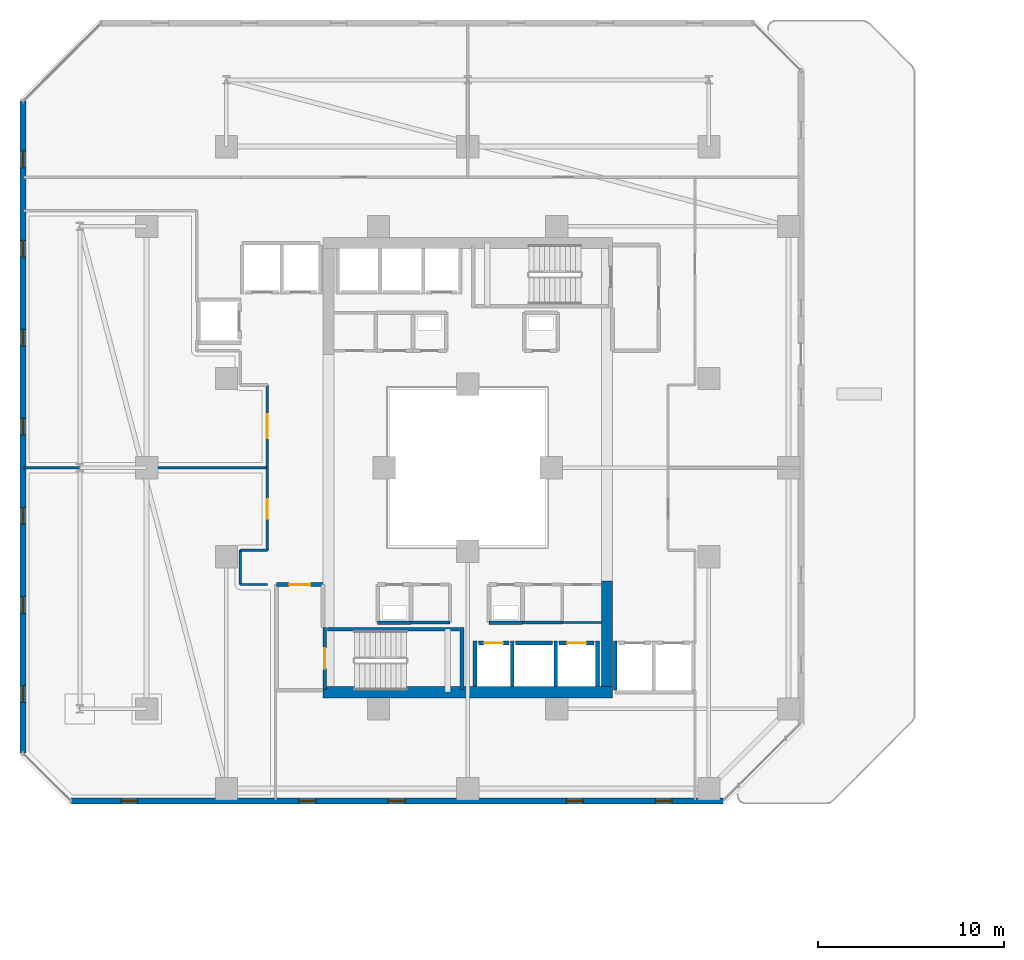
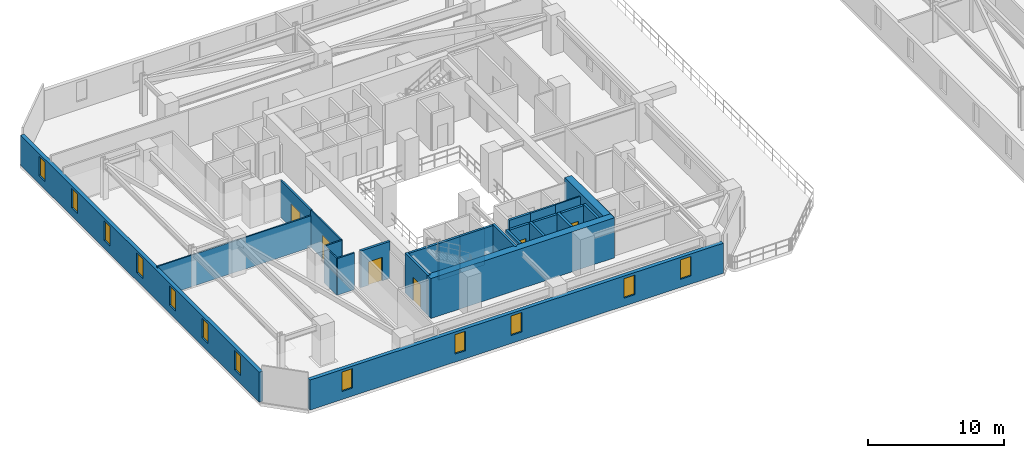
# One storey, part 20 of 33: 27 walls, 12 windows, 6 doors, 18 openings.
"""IFC4 building model written with IfcOpenShell, lengths in metres."""

from ifc_helpers import new_model, si_unit, direction, frame, frame_2d, origin, place, context, subcontext, project, spatial, rectangle, extrude, material, layer, layer_set, type_object, element, fill, save


model = new_model("IFC4")

# Units and contexts
model_context = context("Model", 3, precision=1e-05, world=origin(), true_north=direction((0.0, 1.0)))
body_context = subcontext(model_context, "Body", "Model", "MODEL_VIEW")
ifc_project = project(units=[si_unit("LENGTHUNIT", "METRE"), si_unit("AREAUNIT", "SQUARE_METRE"), si_unit("VOLUMEUNIT", "CUBIC_METRE"), si_unit("PLANEANGLEUNIT", "RADIAN"), si_unit("MASSUNIT", "GRAM", prefix="KILO")], contexts=[model_context])

# Site, building, storey
site_placement = place(None, origin())
site = spatial("IfcSite", under=ifc_project, at=site_placement, CompositionType="ELEMENT")
building_placement = place(site_placement, origin())
building = spatial("IfcBuilding", under=site, at=building_placement, Name="Thornwick Lancets Civic Towers", CompositionType="ELEMENT")
storey_placement = place(building_placement, frame((0.0, 0.0, 98.10009765625)))
storey = spatial("IfcBuildingStorey", under=building, at=storey_placement, Name="L25", CompositionType="ELEMENT", Elevation=98.10009765625)

# Wall, opening, door
ifc_material_1 = material(Name="Concrete blockwork C40/50", Category="masonry")
ifc_layer_1 = layer(ifc_material_1, 0.199951171875, Name="Concrete blockwork C40/50")
ifc_layer_set_1 = layer_set([ifc_layer_1], Name="Concrete blockwork C40/50")
wall_type_1 = type_object("IfcWallType", Name="WALL_COMP_200", PredefinedType="STANDARD", material=ifc_layer_set_1)
wall_1_placement = place(storey_placement, frame((26.080078125, 17.550048828125, 0.0), z_axis=(0.0, 0.0, 1.0), x_axis=(1.0, 0.0, 0.0)))
wall_1 = element("IfcWall", 1, at=wall_1_placement, inside=storey, type_object=wall_type_1, Name="L25 Hoistway Front Wall FL-A1", PredefinedType="STANDARD", context=body_context, shape_type="SweptSolid", body=[
    extrude(rectangle(XDim=1.639892578125, YDim=0.199951171875, at=frame_2d((0.81982421875, 0.0))), origin(), (0.0, 0.0, 1.0), 3.2998046875),
])
opening_1_placement = place(wall_1_placement, frame((0.31005859375, 0.0, 0.0)))
opening_1 = element("IfcOpeningElement", 2, at=opening_1_placement, cuts=wall_1, Name="Opening LD-FL-A1", PredefinedType="OPENING", context=body_context, shape_type="SweptSolid", body=[
    extrude(rectangle(XDim=1.02001953125, YDim=2.06005859375, at=frame_2d((0.510009765625, 1.030029296875))), frame((0.0, 0.10986328125, 0.0), z_axis=(0.0, -1.0, 0.0), x_axis=(1.0, 0.0, 0.0)), (0.0, 0.0, 1.0), 0.219970703125),
])
ifc_material_2 = material(Name="Brushed bronze stainless steel", Category="steel")
door_type_1 = type_object("IfcDoorType", Name="DOOR_LIFT_SLIDE", OperationType="SLIDING_TO_LEFT", PredefinedType="DOOR", material=ifc_material_2)
door_1_placement = place(opening_1_placement, origin())
door_1 = element("IfcDoor", 3, at=door_1_placement, inside=storey, type_object=door_type_1, Name="L25 Sliding Lift Landing Door LD-FL-A1", OperationType="SLIDING_TO_LEFT", OverallHeight=2.06005859375, OverallWidth=1.02001953125, PredefinedType="DOOR", context=body_context, shape_type="SweptSolid", body=[
    extrude(rectangle(XDim=1.02001953125, YDim=2.06005859375, at=frame_2d((0.510009765625, 1.030029296875))), frame((0.0, 0.02490234375, 0.0), z_axis=(0.0, -1.0, 0.0), x_axis=(1.0, 0.0, 0.0)), (0.0, 0.0, 1.0), 0.050048828125),
])
fill(opening_1, door_1)

# Wall
wall_2_placement = place(storey_placement, frame((28.080078125, 17.550048828125, 0.0), z_axis=(0.0, 0.0, 1.0), x_axis=(1.0, 0.0, 0.0)))
element("IfcWall", 4, at=wall_2_placement, inside=storey, type_object=wall_type_1, Name="L25 Hoistway Front Wall PL-AH1", PredefinedType="STANDARD", context=body_context, shape_type="SweptSolid", body=[
    extrude(rectangle(XDim=1.989990234375, YDim=0.199951171875, at=frame_2d((0.9951171875, 0.0))), origin(), (0.0, 0.0, 1.0), 3.2998046875),
])

# Wall, opening, door
wall_3_placement = place(storey_placement, frame((30.429931640625, 17.550048828125, 0.0), z_axis=(0.0, 0.0, 1.0), x_axis=(1.0, 0.0, 0.0)))
wall_3 = element("IfcWall", 5, at=wall_3_placement, inside=storey, type_object=wall_type_1, Name="L25 Hoistway Front Wall PL-AL1", PredefinedType="STANDARD", context=body_context, shape_type="SweptSolid", body=[
    extrude(rectangle(XDim=1.89013671875, YDim=0.199951171875, at=frame_2d((0.945068359375, 0.0))), origin(), (0.0, 0.0, 1.0), 3.2998046875),
])
opening_2_placement = place(wall_3_placement, frame((0.43505859375, 0.0, 0.0)))
opening_2 = element("IfcOpeningElement", 6, at=opening_2_placement, cuts=wall_3, Name="Opening LD-PL-AL1", PredefinedType="OPENING", context=body_context, shape_type="SweptSolid", body=[
    extrude(rectangle(XDim=1.02001953125, YDim=2.06005859375, at=frame_2d((0.510009765625, 1.030029296875))), frame((0.0, 0.10986328125, 0.0), z_axis=(0.0, -1.0, 0.0), x_axis=(1.0, 0.0, 0.0)), (0.0, 0.0, 1.0), 0.219970703125),
])
door_2_placement = place(opening_2_placement, origin())
door_2 = element("IfcDoor", 7, at=door_2_placement, inside=storey, type_object=door_type_1, Name="L25 Sliding Lift Landing Door LD-PL-AL1", OperationType="SLIDING_TO_LEFT", OverallHeight=2.06005859375, OverallWidth=1.02001953125, PredefinedType="DOOR", context=body_context, shape_type="SweptSolid", body=[
    extrude(rectangle(XDim=1.02001953125, YDim=2.06005859375, at=frame_2d((0.510009765625, 1.030029296875))), frame((0.0, 0.02490234375, 0.0), z_axis=(0.0, -1.0, 0.0), x_axis=(1.0, 0.0, 0.0)), (0.0, 0.0, 1.0), 0.050048828125),
])
fill(opening_2, door_2)

# Walls
for number, where, z_axis, x_axis, name in (
    (8, (27.89990234375, 15.2119140625, 0.0), (0.0, 0.0, 1.0), (0.0, 1.0, 0.0), "L25 Hoistway Shaft Wall FL-A1 E"),
    (9, (25.89990234375, 15.2119140625, 0.0), (0.0, 0.0, 1.0), (0.0, 1.0, 0.0), "L25 Hoistway Shaft Wall FL-A1 W"),
    (10, (30.25, 15.2119140625, 0.0), (0.0, 0.0, 1.0), (0.0, 1.0, 0.0), "L25 Hoistway Shaft Wall PL-AH1 E"),
    (11, (32.5, 15.2119140625, 0.0), (0.0, 0.0, 1.0), (0.0, 1.0, 0.0), "L25 Hoistway Shaft Wall PL-AL1 E"),
):
    element("IfcWall", number, at=place(storey_placement, frame(where, z_axis=z_axis, x_axis=x_axis)), inside=storey, type_object=wall_type_1, Name=name, PredefinedType="STANDARD", context=body_context, shape_type="SweptSolid", body=[
        extrude(rectangle(XDim=2.43603515625, YDim=0.199951171875, at=frame_2d((1.218017578125, 0.0))), origin(), (0.0, 0.0, 1.0), 3.2998046875),
    ])
wall_4_placement = place(storey_placement, frame((33.449951171875, 15.011962890625, 0.0), z_axis=(0.0, 0.0, 1.0), x_axis=(0.0, 1.0, 0.0)))
element("IfcWall", 12, at=wall_4_placement, inside=storey, type_object=wall_type_1, Name="L25 Hoistway Shaft Wall PL-AL2 W", PredefinedType="STANDARD", context=body_context, shape_type="SweptSolid", body=[
    extrude(rectangle(XDim=2.635986328125, YDim=0.199951171875, at=frame_2d((1.31787109375, 0.0))), origin(), (0.0, 0.0, 1.0), 3.2998046875),
])

# Wall, opening, door
wall_5_placement = place(storey_placement, frame((17.699951171875, 20.699951171875, 0.0), z_axis=(0.0, 0.0, 1.0), x_axis=(-1.0, 0.0, 0.0)))
wall_5 = element("IfcWall", 13, at=wall_5_placement, inside=storey, type_object=wall_type_1, Name="L25 Partition L25-A-FFLOB1 E3", PredefinedType="STANDARD", context=body_context, shape_type="SweptSolid", body=[
    extrude(rectangle(XDim=2.5, YDim=0.199951171875, at=frame_2d((1.25, 0.0))), origin(), (0.0, 0.0, 1.0), 3.2998046875),
])
opening_3_placement = place(wall_5_placement, frame((0.675048828125, 0.0, 0.0)))
opening_3 = element("IfcOpeningElement", 14, at=opening_3_placement, cuts=wall_5, Name="Opening D-L25-1155", PredefinedType="OPENING", context=body_context, shape_type="SweptSolid", body=[
    extrude(rectangle(XDim=1.14990234375, YDim=2.10009765625, at=frame_2d((0.574951171875, 1.050048828125))), frame((0.0, 0.10986328125, 0.0), z_axis=(0.0, -1.0, 0.0), x_axis=(1.0, 0.0, 0.0)), (0.0, 0.0, 1.0), 0.219970703125),
])
ifc_material_3 = material(Name="Glazed fire-resisting steel", Category="steel")
door_type_2 = type_object("IfcDoorType", Name="DOOR_LOBBY_FD60", OperationType="NOTDEFINED", PredefinedType="DOOR", material=ifc_material_3)
door_3_placement = place(opening_3_placement, origin())
door_3 = element("IfcDoor", 15, at=door_3_placement, inside=storey, type_object=door_type_2, Name="L25 South Firefighting Lobby 1 Door", OperationType="SINGLE_SWING_RIGHT", OverallHeight=2.10009765625, OverallWidth=1.14990234375, PredefinedType="DOOR", context=body_context, shape_type="SweptSolid", body=[
    extrude(rectangle(XDim=1.14990234375, YDim=2.10009765625, at=frame_2d((0.574951171875, 1.050048828125))), frame((0.0, 0.02490234375, 0.0), z_axis=(0.0, -1.0, 0.0), x_axis=(1.0, 0.0, 0.0)), (0.0, 0.0, 1.0), 0.050048828125),
])
fill(opening_3, door_3)

# Walls
for number, where, z_axis, x_axis, name in (
    (16, (26.64990234375, 18.64990234375, 0.0), (0.0, 0.0, 1.0), (1.0, 0.0, 0.0), "L25 Partition L25-A-DUCT1 E1"),
    (17, (20.64990234375, 18.64990234375, 0.0), (0.0, 0.0, 1.0), (1.0, 0.0, 0.0), "L25 Partition L25-A-RISER1 E1"),
):
    element("IfcWall", number, at=place(storey_placement, frame(where, z_axis=z_axis, x_axis=x_axis)), inside=storey, type_object=wall_type_1, Name=name, PredefinedType="STANDARD", context=body_context, shape_type="SweptSolid", body=[
        extrude(rectangle(XDim=1.800048828125, YDim=0.199951171875, at=frame_2d((0.89990234375, 0.0))), origin(), (0.0, 0.0, 1.0), 3.2998046875),
    ])
ifc_material_4 = material(Name="Concrete C60/75", Category="concrete")
ifc_layer_2 = layer(ifc_material_4, 0.60009765625, Name="Concrete C60/75")
ifc_layer_set_2 = layer_set([ifc_layer_2], Name="Concrete C60/75")
wall_type_2 = type_object("IfcWallType", Name="WALL_CORE_600", PredefinedType="SHEAR", material=ifc_layer_set_2)
wall_6_placement = place(storey_placement, frame((17.699951171875, 14.89990234375, 0.0), z_axis=(0.0, 0.0, 1.0), x_axis=(1.0, 0.0, 0.0)))
element("IfcWall", 18, at=wall_6_placement, inside=storey, type_object=wall_type_2, Name="L25 Split Core A1 Shear Wall S", PredefinedType="SHEAR", context=body_context, shape_type="SweptSolid", body=[
    extrude(rectangle(XDim=15.60009765625, YDim=0.60009765625, at=frame_2d((7.800048828125, 0.0))), origin(), (0.0, 0.0, 1.0), 3.599853515625),
])
wall_7_placement = place(storey_placement, frame((33.0, 15.199951171875, 0.0), z_axis=(0.0, 0.0, 1.0), x_axis=(0.0, 1.0, 0.0)))
element("IfcWall", 19, at=wall_7_placement, inside=storey, type_object=wall_type_2, Name="L25 Split Core A1 Shear Wall E", PredefinedType="SHEAR", context=body_context, shape_type="SweptSolid", body=[
    extrude(rectangle(XDim=5.699951171875, YDim=0.60009765625, at=frame_2d((2.85009765625, 0.0))), origin(), (0.0, 0.0, 1.0), 3.599853515625),
])

# Wall, openings, windows
ifc_material_5 = material(Name="Insulated buff terracotta rainscreen on concrete C40/50", Category="masonry")
ifc_layer_3 = layer(ifc_material_5, 0.320068359375, Name="Insulated buff terracotta rainscreen on concrete C40/50")
ifc_layer_set_3 = layer_set([ifc_layer_3], Name="Insulated buff terracotta rainscreen on concrete C40/50")
wall_type_3 = type_object("IfcWallType", Name="WALL_EXT_TERRA_320", PredefinedType="STANDARD", material=ifc_layer_set_3)
wall_8_placement = place(storey_placement, frame((4.11865234375, 9.035400390625, 0.0), z_axis=(0.0, 0.0, 1.0), x_axis=(0.999999989352, 0.000145929605, 0.0)))
wall_8 = element("IfcWall", 20, at=wall_8_placement, inside=storey, type_object=wall_type_3, Name="L25 Tower A Terracotta Facade Wall E0", PredefinedType="STANDARD", context=body_context, shape_type="SweptSolid", body=[
    extrude(rectangle(XDim=35.133056640625, YDim=0.320068359375, at=frame_2d((17.56640625, 0.0))), origin(), (0.0, 0.0, 1.0), 2.699951171875),
])
opening_4_placement = place(wall_8_placement, frame((2.699951171875, 0.0, 0.719970703125)))
opening_4 = element("IfcOpeningElement", 21, at=opening_4_placement, cuts=wall_8, Name="Opening WL-01", PredefinedType="OPENING", context=body_context, shape_type="SweptSolid", body=[
    extrude(rectangle(XDim=0.89990234375, YDim=1.75, at=frame_2d((0.449951171875, 0.875))), frame((0.0, 0.169921875, 0.0), z_axis=(0.0, -1.0, 0.0), x_axis=(1.0, 0.0, 0.0)), (0.0, 0.0, 1.0), 0.340087890625),
])
opening_5_placement = place(wall_8_placement, frame((12.300048828125, 0.0, 0.719970703125)))
opening_5 = element("IfcOpeningElement", 22, at=opening_5_placement, cuts=wall_8, Name="Opening WL-01", PredefinedType="OPENING", context=body_context, shape_type="SweptSolid", body=[
    extrude(rectangle(XDim=0.89990234375, YDim=1.75, at=frame_2d((0.449951171875, 0.875))), frame((0.0, 0.169921875, 0.0), z_axis=(0.0, -1.0, 0.0), x_axis=(1.0, 0.0, 0.0)), (0.0, 0.0, 1.0), 0.340087890625),
])
opening_6_placement = place(wall_8_placement, frame((17.10009765625, 0.0, 0.719970703125)))
opening_6 = element("IfcOpeningElement", 23, at=opening_6_placement, cuts=wall_8, Name="Opening WL-01", PredefinedType="OPENING", context=body_context, shape_type="SweptSolid", body=[
    extrude(rectangle(XDim=0.89990234375, YDim=1.75, at=frame_2d((0.449951171875, 0.875))), frame((0.0, 0.169921875, 0.0), z_axis=(0.0, -1.0, 0.0), x_axis=(1.0, 0.0, 0.0)), (0.0, 0.0, 1.0), 0.340087890625),
])
opening_7_placement = place(wall_8_placement, frame((26.699951171875, 0.0, 0.719970703125)))
opening_7 = element("IfcOpeningElement", 24, at=opening_7_placement, cuts=wall_8, Name="Opening WL-01", PredefinedType="OPENING", context=body_context, shape_type="SweptSolid", body=[
    extrude(rectangle(XDim=0.89990234375, YDim=1.75, at=frame_2d((0.449951171875, 0.875))), frame((0.0, 0.169921875, 0.0), z_axis=(0.0, -1.0, 0.0), x_axis=(1.0, 0.0, 0.0)), (0.0, 0.0, 1.0), 0.340087890625),
])
opening_8_placement = place(wall_8_placement, frame((31.5, 0.0, 0.719970703125)))
opening_8 = element("IfcOpeningElement", 25, at=opening_8_placement, cuts=wall_8, Name="Opening WL-01", PredefinedType="OPENING", context=body_context, shape_type="SweptSolid", body=[
    extrude(rectangle(XDim=0.89990234375, YDim=1.75, at=frame_2d((0.449951171875, 0.875))), frame((0.0, 0.169921875, 0.0), z_axis=(0.0, -1.0, 0.0), x_axis=(1.0, 0.0, 0.0)), (0.0, 0.0, 1.0), 0.340087890625),
])
ifc_material_6 = material(Name="Clear low-e double glazing in bronze frame", Category="glass")
window_type = type_object("IfcWindowType", Name="WIN_LANCET_900", PartitioningType="SINGLE_PANEL", PredefinedType="WINDOW", material=ifc_material_6)
window_1_placement = place(opening_4_placement, origin())
window_1 = element("IfcWindow", 26, at=window_1_placement, inside=storey, type_object=window_type, Name="L25 Tower A Staggered Lancet Window E0-1", OverallHeight=1.75, OverallWidth=0.89990234375, PartitioningType="SINGLE_PANEL", PredefinedType="WINDOW", context=body_context, shape_type="SweptSolid", body=[
    extrude(rectangle(XDim=0.89990234375, YDim=1.75, at=frame_2d((0.449951171875, 0.875))), frame((0.0, 0.030029296875, 0.0), z_axis=(0.0, -1.0, 0.0), x_axis=(1.0, 0.0, 0.0)), (0.0, 0.0, 1.0), 0.06005859375),
])
fill(opening_4, window_1)
window_2_placement = place(opening_5_placement, origin())
window_2 = element("IfcWindow", 27, at=window_2_placement, inside=storey, type_object=window_type, Name="L25 Tower A Staggered Lancet Window E0-2", OverallHeight=1.75, OverallWidth=0.89990234375, PartitioningType="SINGLE_PANEL", PredefinedType="WINDOW", context=body_context, shape_type="SweptSolid", body=[
    extrude(rectangle(XDim=0.89990234375, YDim=1.75, at=frame_2d((0.449951171875, 0.875))), frame((0.0, 0.030029296875, 0.0), z_axis=(0.0, -1.0, 0.0), x_axis=(1.0, 0.0, 0.0)), (0.0, 0.0, 1.0), 0.06005859375),
])
fill(opening_5, window_2)
window_3_placement = place(opening_6_placement, origin())
window_3 = element("IfcWindow", 28, at=window_3_placement, inside=storey, type_object=window_type, Name="L25 Tower A Staggered Lancet Window E0-3", OverallHeight=1.75, OverallWidth=0.89990234375, PartitioningType="SINGLE_PANEL", PredefinedType="WINDOW", context=body_context, shape_type="SweptSolid", body=[
    extrude(rectangle(XDim=0.89990234375, YDim=1.75, at=frame_2d((0.449951171875, 0.875))), frame((0.0, 0.030029296875, 0.0), z_axis=(0.0, -1.0, 0.0), x_axis=(1.0, 0.0, 0.0)), (0.0, 0.0, 1.0), 0.06005859375),
])
fill(opening_6, window_3)
window_4_placement = place(opening_7_placement, origin())
window_4 = element("IfcWindow", 29, at=window_4_placement, inside=storey, type_object=window_type, Name="L25 Tower A Staggered Lancet Window E0-4", OverallHeight=1.75, OverallWidth=0.89990234375, PartitioningType="SINGLE_PANEL", PredefinedType="WINDOW", context=body_context, shape_type="SweptSolid", body=[
    extrude(rectangle(XDim=0.89990234375, YDim=1.75, at=frame_2d((0.449951171875, 0.875))), frame((0.0, 0.030029296875, 0.0), z_axis=(0.0, -1.0, 0.0), x_axis=(1.0, 0.0, 0.0)), (0.0, 0.0, 1.0), 0.06005859375),
])
fill(opening_7, window_4)
window_5_placement = place(opening_8_placement, origin())
window_5 = element("IfcWindow", 30, at=window_5_placement, inside=storey, type_object=window_type, Name="L25 Tower A Staggered Lancet Window E0-5", OverallHeight=1.75, OverallWidth=0.89990234375, PartitioningType="SINGLE_PANEL", PredefinedType="WINDOW", context=body_context, shape_type="SweptSolid", body=[
    extrude(rectangle(XDim=0.89990234375, YDim=1.75, at=frame_2d((0.449951171875, 0.875))), frame((0.0, 0.030029296875, 0.0), z_axis=(0.0, -1.0, 0.0), x_axis=(1.0, 0.0, 0.0)), (0.0, 0.0, 1.0), 0.06005859375),
])
fill(opening_8, window_5)

wall_9_placement = place(storey_placement, frame((1.54052734375, 46.751708984375, 0.0), z_axis=(0.0, 0.0, 1.0), x_axis=(-0.000145929605, -0.999999989352, 0.0)))
wall_9 = element("IfcWall", 31, at=wall_9_placement, inside=storey, type_object=wall_type_3, Name="L25 Tower A Terracotta Facade Wall E6", PredefinedType="STANDARD", context=body_context, shape_type="SweptSolid", body=[
    extrude(rectangle(XDim=35.133056640625, YDim=0.320068359375, at=frame_2d((17.56640625, 0.0))), origin(), (0.0, 0.0, 1.0), 2.699951171875),
])
opening_9_placement = place(wall_9_placement, frame((2.699951171875, 0.0, 0.719970703125)))
opening_9 = element("IfcOpeningElement", 32, at=opening_9_placement, cuts=wall_9, Name="Opening WL-01", PredefinedType="OPENING", context=body_context, shape_type="SweptSolid", body=[
    extrude(rectangle(XDim=0.89990234375, YDim=1.75, at=frame_2d((0.449951171875, 0.875))), frame((0.0, 0.169921875, 0.0), z_axis=(0.0, -1.0, 0.0), x_axis=(1.0, 0.0, 0.0)), (0.0, 0.0, 1.0), 0.340087890625),
])
opening_10_placement = place(wall_9_placement, frame((7.5, 0.0, 0.719970703125)))
opening_10 = element("IfcOpeningElement", 33, at=opening_10_placement, cuts=wall_9, Name="Opening WL-01", PredefinedType="OPENING", context=body_context, shape_type="SweptSolid", body=[
    extrude(rectangle(XDim=0.89990234375, YDim=1.75, at=frame_2d((0.449951171875, 0.875))), frame((0.0, 0.169921875, 0.0), z_axis=(0.0, -1.0, 0.0), x_axis=(1.0, 0.0, 0.0)), (0.0, 0.0, 1.0), 0.340087890625),
])
opening_11_placement = place(wall_9_placement, frame((12.300048828125, 0.0, 0.719970703125)))
opening_11 = element("IfcOpeningElement", 34, at=opening_11_placement, cuts=wall_9, Name="Opening WL-01", PredefinedType="OPENING", context=body_context, shape_type="SweptSolid", body=[
    extrude(rectangle(XDim=0.89990234375, YDim=1.75, at=frame_2d((0.449951171875, 0.875))), frame((0.0, 0.169921875, 0.0), z_axis=(0.0, -1.0, 0.0), x_axis=(1.0, 0.0, 0.0)), (0.0, 0.0, 1.0), 0.340087890625),
])
opening_12_placement = place(wall_9_placement, frame((17.10009765625, 0.0, 0.719970703125)))
opening_12 = element("IfcOpeningElement", 35, at=opening_12_placement, cuts=wall_9, Name="Opening WL-01", PredefinedType="OPENING", context=body_context, shape_type="SweptSolid", body=[
    extrude(rectangle(XDim=0.89990234375, YDim=1.75, at=frame_2d((0.449951171875, 0.875))), frame((0.0, 0.169921875, 0.0), z_axis=(0.0, -1.0, 0.0), x_axis=(1.0, 0.0, 0.0)), (0.0, 0.0, 1.0), 0.340087890625),
])
opening_13_placement = place(wall_9_placement, frame((21.89990234375, 0.0, 0.719970703125)))
opening_13 = element("IfcOpeningElement", 36, at=opening_13_placement, cuts=wall_9, Name="Opening WL-01", PredefinedType="OPENING", context=body_context, shape_type="SweptSolid", body=[
    extrude(rectangle(XDim=0.89990234375, YDim=1.75, at=frame_2d((0.449951171875, 0.875))), frame((0.0, 0.169921875, 0.0), z_axis=(0.0, -1.0, 0.0), x_axis=(1.0, 0.0, 0.0)), (0.0, 0.0, 1.0), 0.340087890625),
])
opening_14_placement = place(wall_9_placement, frame((26.699951171875, 0.0, 0.719970703125)))
opening_14 = element("IfcOpeningElement", 37, at=opening_14_placement, cuts=wall_9, Name="Opening WL-01", PredefinedType="OPENING", context=body_context, shape_type="SweptSolid", body=[
    extrude(rectangle(XDim=0.89990234375, YDim=1.75, at=frame_2d((0.449951171875, 0.875))), frame((0.0, 0.169921875, 0.0), z_axis=(0.0, -1.0, 0.0), x_axis=(1.0, 0.0, 0.0)), (0.0, 0.0, 1.0), 0.340087890625),
])
opening_15_placement = place(wall_9_placement, frame((31.5, 0.0, 0.719970703125)))
opening_15 = element("IfcOpeningElement", 38, at=opening_15_placement, cuts=wall_9, Name="Opening WL-01", PredefinedType="OPENING", context=body_context, shape_type="SweptSolid", body=[
    extrude(rectangle(XDim=0.89990234375, YDim=1.75, at=frame_2d((0.449951171875, 0.875))), frame((0.0, 0.169921875, 0.0), z_axis=(0.0, -1.0, 0.0), x_axis=(1.0, 0.0, 0.0)), (0.0, 0.0, 1.0), 0.340087890625),
])
window_6_placement = place(opening_9_placement, origin())
window_6 = element("IfcWindow", 39, at=window_6_placement, inside=storey, type_object=window_type, Name="L25 Tower A Staggered Lancet Window E6-1", OverallHeight=1.75, OverallWidth=0.89990234375, PartitioningType="SINGLE_PANEL", PredefinedType="WINDOW", context=body_context, shape_type="SweptSolid", body=[
    extrude(rectangle(XDim=0.89990234375, YDim=1.75, at=frame_2d((0.449951171875, 0.875))), frame((0.0, 0.030029296875, 0.0), z_axis=(0.0, -1.0, 0.0), x_axis=(1.0, 0.0, 0.0)), (0.0, 0.0, 1.0), 0.06005859375),
])
fill(opening_9, window_6)
window_7_placement = place(opening_10_placement, origin())
window_7 = element("IfcWindow", 40, at=window_7_placement, inside=storey, type_object=window_type, Name="L25 Tower A Staggered Lancet Window E6-2", OverallHeight=1.75, OverallWidth=0.89990234375, PartitioningType="SINGLE_PANEL", PredefinedType="WINDOW", context=body_context, shape_type="SweptSolid", body=[
    extrude(rectangle(XDim=0.89990234375, YDim=1.75, at=frame_2d((0.449951171875, 0.875))), frame((0.0, 0.030029296875, 0.0), z_axis=(0.0, -1.0, 0.0), x_axis=(1.0, 0.0, 0.0)), (0.0, 0.0, 1.0), 0.06005859375),
])
fill(opening_10, window_7)
window_8_placement = place(opening_11_placement, origin())
window_8 = element("IfcWindow", 41, at=window_8_placement, inside=storey, type_object=window_type, Name="L25 Tower A Staggered Lancet Window E6-3", OverallHeight=1.75, OverallWidth=0.89990234375, PartitioningType="SINGLE_PANEL", PredefinedType="WINDOW", context=body_context, shape_type="SweptSolid", body=[
    extrude(rectangle(XDim=0.89990234375, YDim=1.75, at=frame_2d((0.449951171875, 0.875))), frame((0.0, 0.030029296875, 0.0), z_axis=(0.0, -1.0, 0.0), x_axis=(1.0, 0.0, 0.0)), (0.0, 0.0, 1.0), 0.06005859375),
])
fill(opening_11, window_8)
window_9_placement = place(opening_12_placement, origin())
window_9 = element("IfcWindow", 42, at=window_9_placement, inside=storey, type_object=window_type, Name="L25 Tower A Staggered Lancet Window E6-4", OverallHeight=1.75, OverallWidth=0.89990234375, PartitioningType="SINGLE_PANEL", PredefinedType="WINDOW", context=body_context, shape_type="SweptSolid", body=[
    extrude(rectangle(XDim=0.89990234375, YDim=1.75, at=frame_2d((0.449951171875, 0.875))), frame((0.0, 0.030029296875, 0.0), z_axis=(0.0, -1.0, 0.0), x_axis=(1.0, 0.0, 0.0)), (0.0, 0.0, 1.0), 0.06005859375),
])
fill(opening_12, window_9)
window_10_placement = place(opening_13_placement, origin())
window_10 = element("IfcWindow", 43, at=window_10_placement, inside=storey, type_object=window_type, Name="L25 Tower A Staggered Lancet Window E6-5", OverallHeight=1.75, OverallWidth=0.89990234375, PartitioningType="SINGLE_PANEL", PredefinedType="WINDOW", context=body_context, shape_type="SweptSolid", body=[
    extrude(rectangle(XDim=0.89990234375, YDim=1.75, at=frame_2d((0.449951171875, 0.875))), frame((0.0, 0.030029296875, 0.0), z_axis=(0.0, -1.0, 0.0), x_axis=(1.0, 0.0, 0.0)), (0.0, 0.0, 1.0), 0.06005859375),
])
fill(opening_13, window_10)
window_11_placement = place(opening_14_placement, origin())
window_11 = element("IfcWindow", 44, at=window_11_placement, inside=storey, type_object=window_type, Name="L25 Tower A Staggered Lancet Window E6-6", OverallHeight=1.75, OverallWidth=0.89990234375, PartitioningType="SINGLE_PANEL", PredefinedType="WINDOW", context=body_context, shape_type="SweptSolid", body=[
    extrude(rectangle(XDim=0.89990234375, YDim=1.75, at=frame_2d((0.449951171875, 0.875))), frame((0.0, 0.030029296875, 0.0), z_axis=(0.0, -1.0, 0.0), x_axis=(1.0, 0.0, 0.0)), (0.0, 0.0, 1.0), 0.06005859375),
])
fill(opening_14, window_11)
window_12_placement = place(opening_15_placement, origin())
window_12 = element("IfcWindow", 45, at=window_12_placement, inside=storey, type_object=window_type, Name="L25 Tower A Staggered Lancet Window E6-7", OverallHeight=1.75, OverallWidth=0.89990234375, PartitioningType="SINGLE_PANEL", PredefinedType="WINDOW", context=body_context, shape_type="SweptSolid", body=[
    extrude(rectangle(XDim=0.89990234375, YDim=1.75, at=frame_2d((0.449951171875, 0.875))), frame((0.0, 0.030029296875, 0.0), z_axis=(0.0, -1.0, 0.0), x_axis=(1.0, 0.0, 0.0)), (0.0, 0.0, 1.0), 0.06005859375),
])
fill(opening_15, window_12)

# Walls
ifc_material_7 = material(Name="Acoustic gypsum board partition")
ifc_layer_4 = layer(ifc_material_7, 0.1201171875, Name="Acoustic gypsum board partition")
ifc_layer_set_4 = layer_set([ifc_layer_4], Name="Acoustic gypsum board partition")
wall_type_4 = type_object("IfcWallType", Name="WALL_PART_120", PredefinedType="PARTITIONING", material=ifc_layer_set_4)
wall_10_placement = place(storey_placement, frame((32.699951171875, 18.64990234375, 0.0), z_axis=(0.0, 0.0, 1.0), x_axis=(-1.0, 0.0, 0.0)))
element("IfcWall", 46, at=wall_10_placement, inside=storey, type_object=wall_type_4, Name="L25 Partition L25-A-ITR E2", PredefinedType="PARTITIONING", context=body_context, shape_type="SweptSolid", body=[
    extrude(rectangle(XDim=2.099853515625, YDim=0.1201171875, at=frame_2d((1.0498046875, 0.0))), origin(), (0.0, 0.0, 1.0), 3.2998046875),
])
wall_11_placement = place(storey_placement, frame((1.580078125, 27.0, 0.0), z_axis=(0.0, 0.0, 1.0), x_axis=(1.0, 0.0, 0.0)))
element("IfcWall", 47, at=wall_11_placement, inside=storey, type_object=wall_type_4, Name="L25 Partition L25-A-W1 E2", PredefinedType="PARTITIONING", context=body_context, shape_type="SweptSolid", body=[
    extrude(rectangle(XDim=13.119873046875, YDim=0.1201171875, at=frame_2d((6.56005859375, 0.0))), origin(), (0.0, 0.0, 1.0), 2.837646484375),
])

# Wall, opening, door
wall_12_placement = place(storey_placement, frame((14.699951171875, 27.0, 0.0), z_axis=(0.0, 0.0, 1.0), x_axis=(0.0, -1.0, 0.0)))
wall_12 = element("IfcWall", 48, at=wall_12_placement, inside=storey, type_object=wall_type_4, Name="L25 Partition L25-A-W1 E3", PredefinedType="PARTITIONING", context=body_context, shape_type="SweptSolid", body=[
    extrude(rectangle(XDim=4.449951171875, YDim=0.1201171875, at=frame_2d((2.22509765625, 0.0))), origin(), (0.0, 0.0, 1.0), 3.2998046875),
])
opening_16_placement = place(wall_12_placement, frame((1.699951171875, 0.0, 0.0)))
opening_16 = element("IfcOpeningElement", 49, at=opening_16_placement, cuts=wall_12, Name="Opening D-L25-1177", PredefinedType="OPENING", context=body_context, shape_type="SweptSolid", body=[
    extrude(rectangle(XDim=1.050048828125, YDim=2.10009765625, at=frame_2d((0.52490234375, 1.050048828125))), frame((0.0, 0.070068359375, 0.0), z_axis=(0.0, -1.0, 0.0), x_axis=(1.0, 0.0, 0.0)), (0.0, 0.0, 1.0), 0.14013671875),
])
ifc_material_8 = material(Name="Glazed European oak executive doorset")
door_type_3 = type_object("IfcDoorType", Name="DOOR_OFFICE_1050", OperationType="NOTDEFINED", PredefinedType="DOOR", material=ifc_material_8)
door_4_placement = place(opening_16_placement, origin())
door_4 = element("IfcDoor", 50, at=door_4_placement, inside=storey, type_object=door_type_3, Name="L25 Tower A Ministry Directorate Office W1 Door", OperationType="SINGLE_SWING_RIGHT", OverallHeight=2.10009765625, OverallWidth=1.050048828125, PredefinedType="DOOR", context=body_context, shape_type="SweptSolid", body=[
    extrude(rectangle(XDim=1.050048828125, YDim=2.10009765625, at=frame_2d((0.52490234375, 1.050048828125))), frame((0.0, 0.02490234375, 0.0), z_axis=(0.0, -1.0, 0.0), x_axis=(1.0, 0.0, 0.0)), (0.0, 0.0, 1.0), 0.050048828125),
])
fill(opening_16, door_4)

# Walls
wall_13_placement = place(storey_placement, frame((14.699951171875, 22.550048828125, 0.0), z_axis=(0.0, 0.0, 1.0), x_axis=(-1.0, 0.0, 0.0)))
element("IfcWall", 51, at=wall_13_placement, inside=storey, type_object=wall_type_4, Name="L25 Partition L25-A-W1 E4", PredefinedType="PARTITIONING", context=body_context, shape_type="SweptSolid", body=[
    extrude(rectangle(XDim=1.449951171875, YDim=0.1201171875, at=frame_2d((0.72509765625, 0.0))), origin(), (0.0, 0.0, 1.0), 3.2998046875),
])
wall_14_placement = place(storey_placement, frame((13.25, 22.550048828125, 0.0), z_axis=(0.0, 0.0, 1.0), x_axis=(0.0, -1.0, 0.0)))
element("IfcWall", 52, at=wall_14_placement, inside=storey, type_object=wall_type_4, Name="L25 Partition L25-A-W1 E5", PredefinedType="PARTITIONING", context=body_context, shape_type="SweptSolid", body=[
    extrude(rectangle(XDim=1.85009765625, YDim=0.1201171875, at=frame_2d((0.925048828125, 0.0))), origin(), (0.0, 0.0, 1.0), 3.2998046875),
])
wall_15_placement = place(storey_placement, frame((13.25, 20.699951171875, 0.0), z_axis=(0.0, 0.0, 1.0), x_axis=(1.0, 0.0, 0.0)))
element("IfcWall", 53, at=wall_15_placement, inside=storey, type_object=wall_type_4, Name="L25 Partition L25-A-W1 E6", PredefinedType="PARTITIONING", context=body_context, shape_type="SweptSolid", body=[
    extrude(rectangle(XDim=1.449951171875, YDim=0.1201171875, at=frame_2d((0.72509765625, 0.0))), origin(), (0.0, 0.0, 1.0), 3.2998046875),
])
ifc_material_9 = material(Name="Twin-stud acoustic gypsum board")
ifc_layer_5 = layer(ifc_material_9, 0.14990234375, Name="Twin-stud acoustic gypsum board")
ifc_layer_set_5 = layer_set([ifc_layer_5], Name="Twin-stud acoustic gypsum board")
wall_type_5 = type_object("IfcWallType", Name="WALL_PART_150", PredefinedType="PARTITIONING", material=ifc_layer_set_5)
wall_16_placement = place(storey_placement, frame((24.550048828125, 18.64990234375, 0.0), z_axis=(0.0, 0.0, 1.0), x_axis=(-1.0, 0.0, 0.0)))
element("IfcWall", 54, at=wall_16_placement, inside=storey, type_object=wall_type_5, Name="L25 Partition L25-A-MWC E2", PredefinedType="PARTITIONING", context=body_context, shape_type="SweptSolid", body=[
    extrude(rectangle(XDim=2.10009765625, YDim=0.14990234375, at=frame_2d((1.050048828125, 0.0))), origin(), (0.0, 0.0, 1.0), 3.2998046875),
])
wall_17_placement = place(storey_placement, frame((30.60009765625, 18.64990234375, 0.0), z_axis=(0.0, 0.0, 1.0), x_axis=(-1.0, 0.0, 0.0)))
element("IfcWall", 55, at=wall_17_placement, inside=storey, type_object=wall_type_5, Name="L25 Partition L25-A-FWC E2", PredefinedType="PARTITIONING", context=body_context, shape_type="SweptSolid", body=[
    extrude(rectangle(XDim=2.150146484375, YDim=0.14990234375, at=frame_2d((1.0751953125, 0.0))), origin(), (0.0, 0.0, 1.0), 3.2998046875),
])

# Wall, opening, door
wall_18_placement = place(storey_placement, frame((14.699951171875, 31.449951171875, 0.0), z_axis=(0.0, 0.0, 1.0), x_axis=(0.0, -1.0, 0.0)))
wall_18 = element("IfcWall", 56, at=wall_18_placement, inside=storey, type_object=wall_type_5, Name="L25 Partition L25-A-W2 E6", PredefinedType="PARTITIONING", context=body_context, shape_type="SweptSolid", body=[
    extrude(rectangle(XDim=4.449951171875, YDim=0.14990234375, at=frame_2d((2.22509765625, 0.0))), origin(), (0.0, 0.0, 1.0), 3.2998046875),
])
opening_17_placement = place(wall_18_placement, frame((1.574951171875, 0.0, 0.0)))
opening_17 = element("IfcOpeningElement", 57, at=opening_17_placement, cuts=wall_18, Name="Opening D-L25-1178", PredefinedType="OPENING", context=body_context, shape_type="SweptSolid", body=[
    extrude(rectangle(XDim=1.300048828125, YDim=2.1201171875, at=frame_2d((0.64990234375, 1.06005859375))), frame((0.0, 0.0849609375, 0.0), z_axis=(0.0, -1.0, 0.0), x_axis=(1.0, 0.0, 0.0)), (0.0, 0.0, 1.0), 0.169921875),
])
ifc_material_10 = material(Name="Acoustic oak leaf-and-a-half doorset")
door_type_4 = type_object("IfcDoorType", Name="DOOR_MEET_1300", OperationType="DOUBLE_DOOR_SINGLE_SWING", PredefinedType="DOOR", material=ifc_material_10)
door_5_placement = place(opening_17_placement, origin())
door_5 = element("IfcDoor", 58, at=door_5_placement, inside=storey, type_object=door_type_4, Name="L25 Tower A Policy Briefing Room W2 Door", OperationType="DOUBLE_DOOR_SINGLE_SWING", OverallHeight=2.1201171875, OverallWidth=1.300048828125, PredefinedType="DOOR", context=body_context, shape_type="SweptSolid", body=[
    extrude(rectangle(XDim=1.300048828125, YDim=2.1201171875, at=frame_2d((0.64990234375, 1.06005859375))), frame((0.0, 0.02490234375, 0.0), z_axis=(0.0, -1.0, 0.0), x_axis=(1.0, 0.0, 0.0)), (0.0, 0.0, 1.0), 0.050048828125),
])
fill(opening_17, door_5)

ifc_material_11 = material(Name="Concrete C40/50", Category="concrete")
ifc_layer_6 = layer(ifc_material_11, 0.199951171875, Name="Concrete C40/50")
ifc_layer_set_6 = layer_set([ifc_layer_6], Name="Concrete C40/50")
wall_type_6 = type_object("IfcWallType", Name="WALL_SHAFT_200", PredefinedType="SHEAR", material=ifc_layer_set_6)
wall_19_placement = place(storey_placement, frame((17.800048828125, 15.050048828125, 0.0), z_axis=(0.0, 0.0, 1.0), x_axis=(0.0, 1.0, 0.0)))
wall_19 = element("IfcWall", 59, at=wall_19_placement, inside=storey, type_object=wall_type_6, Name="L25 ST-A1 Fire Stair Core Wall NEAR", PredefinedType="SHEAR", context=body_context, shape_type="SweptSolid", body=[
    extrude(rectangle(XDim=3.349853515625, YDim=0.199951171875, at=frame_2d((1.6748046875, 0.0))), origin(), (0.0, 0.0, 1.0), 3.599853515625),
])
opening_18_placement = place(wall_19_placement, frame((1.125, 0.0, 0.0)))
opening_18 = element("IfcOpeningElement", 60, at=opening_18_placement, cuts=wall_19, Name="Opening D-ST-A1-L25", PredefinedType="OPENING", context=body_context, shape_type="SweptSolid", body=[
    extrude(rectangle(XDim=1.10009765625, YDim=2.10009765625, at=frame_2d((0.550048828125, 1.050048828125))), frame((0.0, 0.10986328125, 0.0), z_axis=(0.0, -1.0, 0.0), x_axis=(1.0, 0.0, 0.0)), (0.0, 0.0, 1.0), 0.219970703125),
])
ifc_material_12 = material(Name="Fire-resisting steel and hardwood", Category="steel")
door_type_5 = type_object("IfcDoorType", Name="DOOR_STAIR_FD60", OperationType="NOTDEFINED", PredefinedType="DOOR", material=ifc_material_12)
door_6_placement = place(opening_18_placement, origin())
door_6 = element("IfcDoor", 61, at=door_6_placement, inside=storey, type_object=door_type_5, Name="L25 ST-A1 Exit Stair Door", OperationType="SINGLE_SWING_RIGHT", OverallHeight=2.10009765625, OverallWidth=1.10009765625, PredefinedType="DOOR", context=body_context, shape_type="SweptSolid", body=[
    extrude(rectangle(XDim=1.10009765625, YDim=2.10009765625, at=frame_2d((0.550048828125, 1.050048828125))), frame((0.0, 0.02490234375, 0.0), z_axis=(0.0, -1.0, 0.0), x_axis=(1.0, 0.0, 0.0)), (0.0, 0.0, 1.0), 0.050048828125),
])
fill(opening_18, door_6)

# Walls
wall_20_placement = place(storey_placement, frame((25.199951171875, 18.39990234375, 0.0), z_axis=(0.0, 0.0, 1.0), x_axis=(0.0, -1.0, 0.0)))
element("IfcWall", 62, at=wall_20_placement, inside=storey, type_object=wall_type_6, Name="L25 ST-A1 Fire Stair Core Wall FAR", PredefinedType="SHEAR", context=body_context, shape_type="SweptSolid", body=[
    extrude(rectangle(XDim=3.349853515625, YDim=0.199951171875, at=frame_2d((1.6748046875, 0.0))), origin(), (0.0, 0.0, 1.0), 3.599853515625),
])
wall_21_placement = place(storey_placement, frame((25.050048828125, 18.297119140625, 0.0), z_axis=(0.0, 0.0, 1.0), x_axis=(-1.0, 0.0, 0.0)))
element("IfcWall", 63, at=wall_21_placement, inside=storey, type_object=wall_type_6, Name="L25 ST-A1 Fire Stair Core Wall RIGHT", PredefinedType="SHEAR", context=body_context, shape_type="SweptSolid", body=[
    extrude(rectangle(XDim=7.10009765625, YDim=0.199951171875, at=frame_2d((3.550048828125, 0.0))), origin(), (0.0, 0.0, 1.0), 3.599853515625),
])

save(model, "model.ifc")
